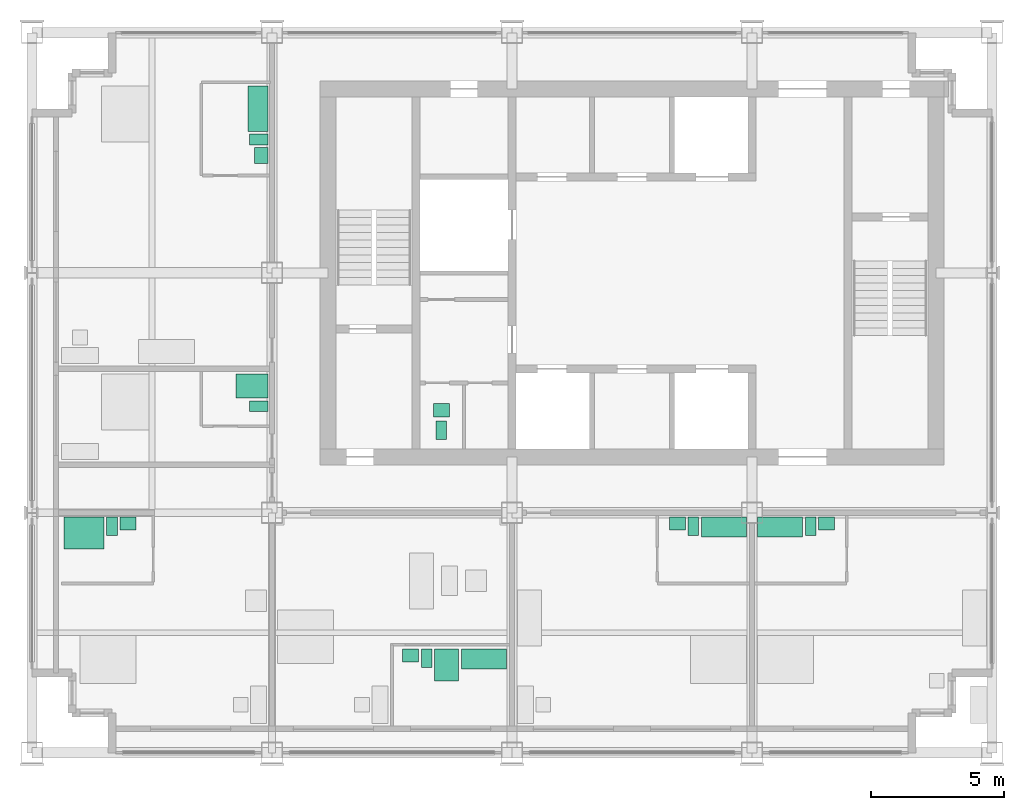
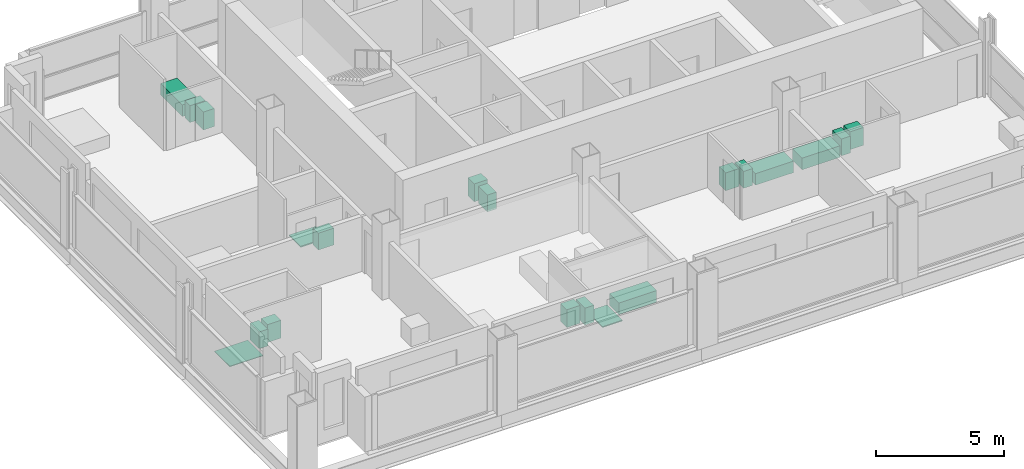
# One storey, part 10 of 11: 20 sanitary terminals.
"""IFC4 building model written with IfcOpenShell, lengths in metres."""

from ifc_helpers import new_model, si_unit, direction, frame, origin, origin_2d, place, context, subcontext, project, spatial, rectangle, extrude, element, save


model = new_model("IFC4")

# Units and contexts
model_context = context("Model", 3, precision=1e-05, world=origin(), true_north=direction((0.0, 1.0)))
body_context = subcontext(model_context, "Body", "Model", "MODEL_VIEW")
ifc_project = project(units=[si_unit("LENGTHUNIT", "METRE"), si_unit("AREAUNIT", "SQUARE_METRE"), si_unit("VOLUMEUNIT", "CUBIC_METRE"), si_unit("PLANEANGLEUNIT", "RADIAN"), si_unit("MASSUNIT", "GRAM", prefix="KILO")], contexts=[model_context])

# Site, building, storey
site_placement = place(None, origin())
site = spatial("IfcSite", under=ifc_project, at=site_placement, CompositionType="ELEMENT")
building_placement = place(site_placement, origin())
building = spatial("IfcBuilding", under=site, at=building_placement, Name="Loomwork Tower", CompositionType="ELEMENT")
storey_placement = place(building_placement, frame((0.0, 0.0, 248.199951171875)))
storey = spatial("IfcBuildingStorey", under=building, at=storey_placement, Name="L68", CompositionType="ELEMENT", Elevation=248.199951171875)

# Sanitary terminals
sanitary_terminal_1_placement = place(storey_placement, frame((1.949951171875, 8.25, 0.0), z_axis=(0.0, 0.0, 1.0), x_axis=(1.0, 0.0, 0.0)))
element("IfcSanitaryTerminal", 1, at=sanitary_terminal_1_placement, inside=storey, Name="Roll-in shower floor L68", PredefinedType="SHOWER", context=body_context, shape_type="SweptSolid", body=[
    extrude(rectangle(XDim=1.5, YDim=1.199951171875, at=origin_2d()), origin(), (0.0, 0.0, 1.0), 0.030029296875),
])
sanitary_terminal_2_placement = place(storey_placement, frame((3.0, 8.5, 0.0), z_axis=(0.0, 0.0, 1.0), x_axis=(1.0, 0.0, 0.0)))
element("IfcSanitaryTerminal", 2, at=sanitary_terminal_2_placement, inside=storey, Name="WC L68", PredefinedType="TOILETPAN", context=body_context, shape_type="SweptSolid", body=[
    extrude(rectangle(XDim=0.39990234375, YDim=0.699951171875, at=origin_2d()), origin(), (0.0, 0.0, 1.0), 0.800048828125),
])
sanitary_terminal_3_placement = place(storey_placement, frame((3.60009765625, 8.60009765625, 0.0), z_axis=(0.0, 0.0, 1.0), x_axis=(1.0, 0.0, 0.0)))
element("IfcSanitaryTerminal", 3, at=sanitary_terminal_3_placement, inside=storey, Name="Basin vanity L68", PredefinedType="WASHHANDBASIN", context=body_context, shape_type="SweptSolid", body=[
    extrude(rectangle(XDim=0.60009765625, YDim=0.5, at=origin_2d()), origin(), (0.0, 0.0, 1.0), 0.85009765625),
])
sanitary_terminal_4_placement = place(storey_placement, frame((16.949951171875, 3.52490234375, 0.0), z_axis=(0.0, 0.0, 1.0), x_axis=(1.0, 0.0, 0.0)))
element("IfcSanitaryTerminal", 4, at=sanitary_terminal_4_placement, inside=storey, Name="Bath L68", PredefinedType="BATH", context=body_context, shape_type="SweptSolid", body=[
    extrude(rectangle(XDim=1.699951171875, YDim=0.75, at=origin_2d()), origin(), (0.0, 0.0, 1.0), 0.550048828125),
])
sanitary_terminal_5_placement = place(storey_placement, frame((15.550048828125, 3.300048828125, 0.0), z_axis=(0.0, 0.0, 1.0), x_axis=(1.0, 0.0, 0.0)))
element("IfcSanitaryTerminal", 5, at=sanitary_terminal_5_placement, inside=storey, Name="Shower tray L68", PredefinedType="SHOWER", context=body_context, shape_type="SweptSolid", body=[
    extrude(rectangle(XDim=0.89990234375, YDim=1.199951171875, at=origin_2d()), origin(), (0.0, 0.0, 1.0), 0.050048828125),
])
sanitary_terminal_6_placement = place(storey_placement, frame((14.800048828125, 3.550048828125, 0.0), z_axis=(0.0, 0.0, 1.0), x_axis=(1.0, 0.0, 0.0)))
element("IfcSanitaryTerminal", 6, at=sanitary_terminal_6_placement, inside=storey, Name="WC L68", PredefinedType="TOILETPAN", context=body_context, shape_type="SweptSolid", body=[
    extrude(rectangle(XDim=0.39990234375, YDim=0.699951171875, at=origin_2d()), origin(), (0.0, 0.0, 1.0), 0.800048828125),
])
sanitary_terminal_7_placement = place(storey_placement, frame((14.199951171875, 3.64990234375, 0.0), z_axis=(0.0, 0.0, 1.0), x_axis=(1.0, 0.0, 0.0)))
element("IfcSanitaryTerminal", 7, at=sanitary_terminal_7_placement, inside=storey, Name="Basin vanity L68", PredefinedType="WASHHANDBASIN", context=body_context, shape_type="SweptSolid", body=[
    extrude(rectangle(XDim=0.60009765625, YDim=0.5, at=origin_2d()), origin(), (0.0, 0.0, 1.0), 0.85009765625),
])
sanitary_terminal_8_placement = place(storey_placement, frame((25.949951171875, 8.47509765625, 0.0), z_axis=(0.0, 0.0, 1.0), x_axis=(1.0, 0.0, 0.0)))
element("IfcSanitaryTerminal", 8, at=sanitary_terminal_8_placement, inside=storey, Name="Bath L68", PredefinedType="BATH", context=body_context, shape_type="SweptSolid", body=[
    extrude(rectangle(XDim=1.699951171875, YDim=0.75, at=origin_2d()), origin(), (0.0, 0.0, 1.0), 0.550048828125),
])
sanitary_terminal_9_placement = place(storey_placement, frame((24.800048828125, 8.5, 0.0), z_axis=(0.0, 0.0, 1.0), x_axis=(1.0, 0.0, 0.0)))
element("IfcSanitaryTerminal", 9, at=sanitary_terminal_9_placement, inside=storey, Name="WC L68", PredefinedType="TOILETPAN", context=body_context, shape_type="SweptSolid", body=[
    extrude(rectangle(XDim=0.39990234375, YDim=0.699951171875, at=origin_2d()), origin(), (0.0, 0.0, 1.0), 0.800048828125),
])
sanitary_terminal_10_placement = place(storey_placement, frame((24.199951171875, 8.60009765625, 0.0), z_axis=(0.0, 0.0, 1.0), x_axis=(1.0, 0.0, 0.0)))
element("IfcSanitaryTerminal", 10, at=sanitary_terminal_10_placement, inside=storey, Name="Basin vanity L68", PredefinedType="WASHHANDBASIN", context=body_context, shape_type="SweptSolid", body=[
    extrude(rectangle(XDim=0.60009765625, YDim=0.5, at=origin_2d()), origin(), (0.0, 0.0, 1.0), 0.85009765625),
])
sanitary_terminal_11_placement = place(storey_placement, frame((28.050048828125, 8.47509765625, 0.0), z_axis=(0.0, 0.0, 1.0), x_axis=(1.0, 0.0, 0.0)))
element("IfcSanitaryTerminal", 11, at=sanitary_terminal_11_placement, inside=storey, Name="Bath L68", PredefinedType="BATH", context=body_context, shape_type="SweptSolid", body=[
    extrude(rectangle(XDim=1.699951171875, YDim=0.75, at=origin_2d()), origin(), (0.0, 0.0, 1.0), 0.550048828125),
])
sanitary_terminal_12_placement = place(storey_placement, frame((29.199951171875, 8.5, 0.0), z_axis=(0.0, 0.0, 1.0), x_axis=(1.0, 0.0, 0.0)))
element("IfcSanitaryTerminal", 12, at=sanitary_terminal_12_placement, inside=storey, Name="WC L68", PredefinedType="TOILETPAN", context=body_context, shape_type="SweptSolid", body=[
    extrude(rectangle(XDim=0.39990234375, YDim=0.699951171875, at=origin_2d()), origin(), (0.0, 0.0, 1.0), 0.800048828125),
])
sanitary_terminal_13_placement = place(storey_placement, frame((29.800048828125, 8.60009765625, 0.0), z_axis=(0.0, 0.0, 1.0), x_axis=(1.0, 0.0, 0.0)))
element("IfcSanitaryTerminal", 13, at=sanitary_terminal_13_placement, inside=storey, Name="Basin vanity L68", PredefinedType="WASHHANDBASIN", context=body_context, shape_type="SweptSolid", body=[
    extrude(rectangle(XDim=0.60009765625, YDim=0.5, at=origin_2d()), origin(), (0.0, 0.0, 1.0), 0.85009765625),
])
sanitary_terminal_14_placement = place(storey_placement, frame((8.25, 13.75, 0.0), z_axis=(0.0, 0.0, 1.0), x_axis=(1.0, 0.0, 0.0)))
element("IfcSanitaryTerminal", 14, at=sanitary_terminal_14_placement, inside=storey, Name="Shower tray L68", PredefinedType="SHOWER", context=body_context, shape_type="SweptSolid", body=[
    extrude(rectangle(XDim=1.199951171875, YDim=0.89990234375, at=origin_2d()), origin(), (0.0, 0.0, 1.0), 0.050048828125),
])
sanitary_terminal_15_placement = place(storey_placement, frame((8.5, 13.0, 0.0), z_axis=(0.0, 0.0, 1.0), x_axis=(1.0, 0.0, 0.0)))
element("IfcSanitaryTerminal", 15, at=sanitary_terminal_15_placement, inside=storey, Name="WC L68", PredefinedType="TOILETPAN", context=body_context, shape_type="SweptSolid", body=[
    extrude(rectangle(XDim=0.699951171875, YDim=0.39990234375, at=origin_2d()), origin(), (0.0, 0.0, 1.0), 0.800048828125),
])
sanitary_terminal_16_placement = place(storey_placement, frame((8.47509765625, 24.14990234375, 0.0), z_axis=(0.0, 0.0, 1.0), x_axis=(1.0, 0.0, 0.0)))
element("IfcSanitaryTerminal", 16, at=sanitary_terminal_16_placement, inside=storey, Name="Bath L68", PredefinedType="BATH", context=body_context, shape_type="SweptSolid", body=[
    extrude(rectangle(XDim=0.75, YDim=1.699951171875, at=origin_2d()), origin(), (0.0, 0.0, 1.0), 0.550048828125),
])
sanitary_terminal_17_placement = place(storey_placement, frame((8.5, 23.0, 0.0), z_axis=(0.0, 0.0, 1.0), x_axis=(1.0, 0.0, 0.0)))
element("IfcSanitaryTerminal", 17, at=sanitary_terminal_17_placement, inside=storey, Name="WC L68", PredefinedType="TOILETPAN", context=body_context, shape_type="SweptSolid", body=[
    extrude(rectangle(XDim=0.699951171875, YDim=0.39990234375, at=origin_2d()), origin(), (0.0, 0.0, 1.0), 0.800048828125),
])
sanitary_terminal_18_placement = place(storey_placement, frame((8.60009765625, 22.39990234375, 0.0), z_axis=(0.0, 0.0, 1.0), x_axis=(1.0, 0.0, 0.0)))
element("IfcSanitaryTerminal", 18, at=sanitary_terminal_18_placement, inside=storey, Name="Basin vanity L68", PredefinedType="WASHHANDBASIN", context=body_context, shape_type="SweptSolid", body=[
    extrude(rectangle(XDim=0.5, YDim=0.60009765625, at=origin_2d()), origin(), (0.0, 0.0, 1.0), 0.85009765625),
])
sanitary_terminal_19_placement = place(storey_placement, frame((15.35009765625, 12.10009765625, 0.0), z_axis=(0.0, 0.0, 1.0), x_axis=(1.0, 0.0, 0.0)))
element("IfcSanitaryTerminal", 19, at=sanitary_terminal_19_placement, inside=storey, Name="WC L68", PredefinedType="TOILETPAN", context=body_context, shape_type="SweptSolid", body=[
    extrude(rectangle(XDim=0.39990234375, YDim=0.699951171875, at=origin_2d()), origin(), (0.0, 0.0, 1.0), 0.800048828125),
])
sanitary_terminal_20_placement = place(storey_placement, frame((15.35009765625, 12.85009765625, 0.0), z_axis=(0.0, 0.0, 1.0), x_axis=(1.0, 0.0, 0.0)))
element("IfcSanitaryTerminal", 20, at=sanitary_terminal_20_placement, inside=storey, Name="Basin L68", PredefinedType="WASHHANDBASIN", context=body_context, shape_type="SweptSolid", body=[
    extrude(rectangle(XDim=0.60009765625, YDim=0.5, at=origin_2d()), origin(), (0.0, 0.0, 1.0), 0.85009765625),
])

save(model, "model.ifc")
